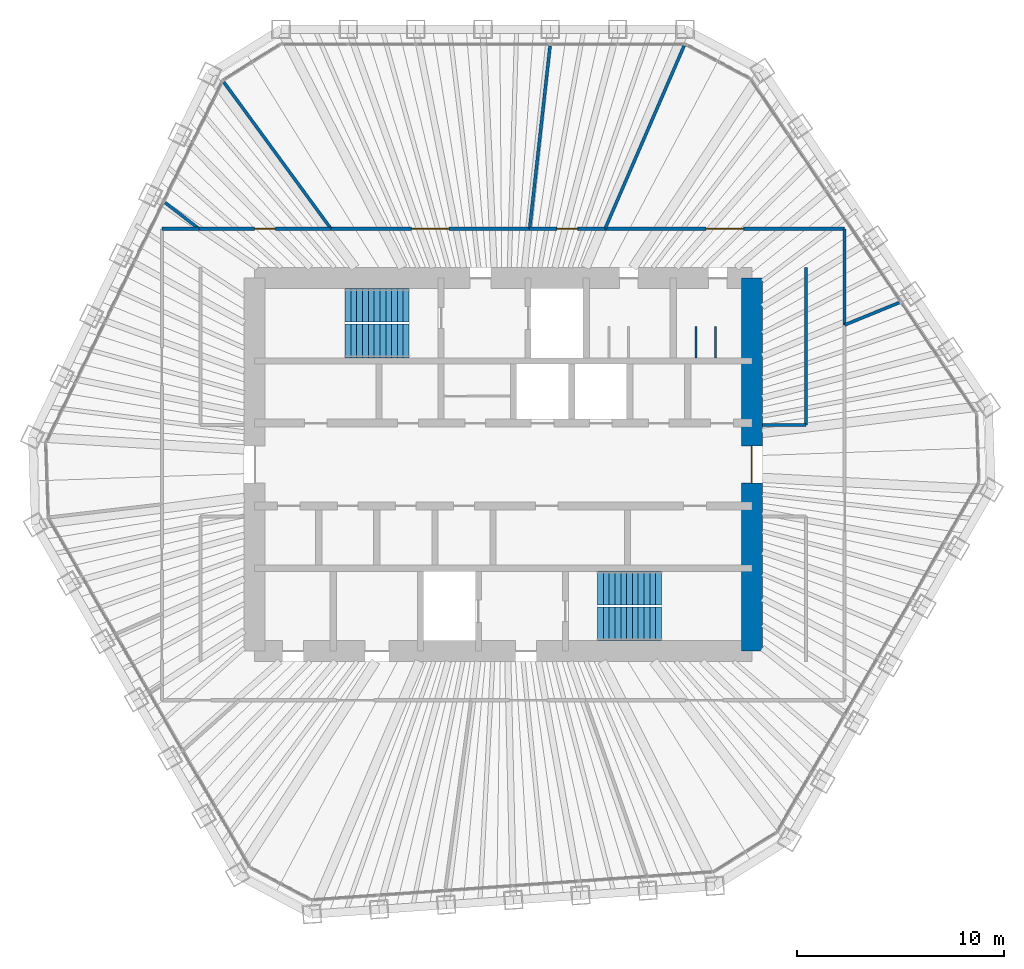
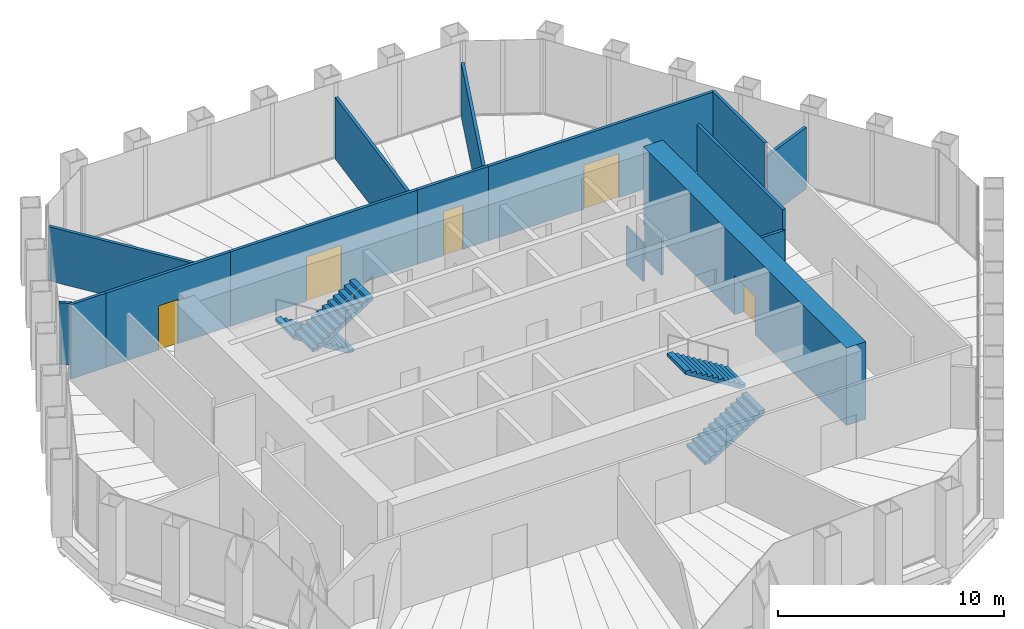
# One storey, part 13 of 14: 16 walls, 5 doors, 4 stair flights, 5 openings, 2 elements without a shape of their own.
"""IFC4 building model written with IfcOpenShell, lengths in metres."""

from ifc_helpers import new_model, si_unit, direction, frame, frame_2d, origin, place, context, subcontext, project, spatial, polyline, rectangle, outline, extrude, material, layer, layer_set, type_object, element, fill, aggregate, save


model = new_model("IFC4")

# Units and contexts
model_context = context("Model", 3, precision=1e-05, world=origin(), true_north=direction((0.0, 1.0)))
body_context = subcontext(model_context, "Body", "Model", "MODEL_VIEW")
ifc_project = project(units=[si_unit("LENGTHUNIT", "METRE"), si_unit("AREAUNIT", "SQUARE_METRE"), si_unit("VOLUMEUNIT", "CUBIC_METRE"), si_unit("PLANEANGLEUNIT", "RADIAN"), si_unit("MASSUNIT", "GRAM", prefix="KILO")], contexts=[model_context])

# Site, building, storey
site_placement = place(None, origin())
site = spatial("IfcSite", under=ifc_project, at=site_placement, CompositionType="ELEMENT")
building_placement = place(site_placement, origin())
building = spatial("IfcBuilding", under=site, at=building_placement, Name="Qingtian Harvest Tower", CompositionType="ELEMENT")
storey_placement = place(building_placement, frame((0.0, 0.0, 287.199951171875)))
storey = spatial("IfcBuildingStorey", under=building, at=storey_placement, Name="L63", CompositionType="ELEMENT", Elevation=287.199951171875)

# Wall, opening, door
ifc_material_1 = material(Name="Concrete fc' 70 MPa", Category="concrete")
ifc_layer_1 = layer(ifc_material_1, 1.0)
ifc_layer_set_1 = layer_set([ifc_layer_1], Name="Core wall RC3 1000")
wall_type_1 = type_object("IfcWallType", Name="Core wall RC3 1000", PredefinedType="SHEAR", material=ifc_layer_set_1)
wall_1_placement = place(storey_placement, frame((12.0, -9.0, 0.0), z_axis=(0.0, 0.0, 1.0), x_axis=(0.0, 1.0, 0.0)))
wall_1 = element("IfcWall", 1, at=wall_1_placement, inside=storey, type_object=wall_type_1, Name="Core wall CE L63", PredefinedType="SHEAR", context=body_context, shape_type="SweptSolid", body=[
    extrude(rectangle(XDim=18.0, YDim=1.0, at=frame_2d((9.0, 0.0))), origin(), (0.0, 0.0, 1.0), 4.199951171875),
])
opening_1_placement = place(wall_1_placement, frame((8.10009765625, 0.0, 0.0)))
opening_1 = element("IfcOpeningElement", 2, at=opening_1_placement, cuts=wall_1, Name="Opening FD2", PredefinedType="OPENING", context=body_context, shape_type="SweptSolid", body=[
    extrude(rectangle(XDim=1.800048828125, YDim=2.10009765625, at=frame_2d((0.89990234375, 1.050048828125))), frame((0.0, 0.510009765625, 0.0), z_axis=(0.0, -1.0, 0.0), x_axis=(1.0, 0.0, 0.0)), (0.0, 0.0, 1.0), 1.02001953125),
])
ifc_material_2 = material(Name="Steel-faced door leaf", Category="steel")
door_type_1 = type_object("IfcDoorType", Name="Fire door FD2 double 1 HR", OperationType="DOUBLE_DOOR_DOUBLE_SWING", PredefinedType="DOOR", material=ifc_material_2)
door_1_placement = place(opening_1_placement, origin())
door_1 = element("IfcDoor", 3, at=door_1_placement, inside=storey, type_object=door_type_1, Name="LOBBY-E door L63", OperationType="DOUBLE_DOOR_DOUBLE_SWING", OverallHeight=2.10009765625, OverallWidth=1.800048828125, PredefinedType="DOOR", context=body_context, shape_type="SweptSolid", body=[
    extrude(rectangle(XDim=1.800048828125, YDim=2.10009765625, at=frame_2d((0.89990234375, 1.050048828125))), frame((0.0, 0.02490234375, 0.0), z_axis=(0.0, -1.0, 0.0), x_axis=(1.0, 0.0, 0.0)), (0.0, 0.0, 1.0), 0.050048828125),
])
fill(opening_1, door_1)

# Walls
ifc_material_3 = material(Name="Gypsum board on steel studs", Category="steel")
ifc_layer_2 = layer(ifc_material_3, 0.14990234375)
ifc_layer_set_2 = layer_set([ifc_layer_2], Name="Partition PT1 150")
wall_type_2 = type_object("IfcWallType", Name="Partition PT1 150", PredefinedType="PARTITIONING", material=ifc_layer_set_2)
wall_2_placement = place(storey_placement, frame((19.10009765625, 7.81005859375, 0.0), z_axis=(0.0, 0.0, 1.0), x_axis=(-0.925593572601, -0.378518874509, 0.0)))
element("IfcWall", 4, at=wall_2_placement, inside=storey, type_object=wall_type_2, Name="Tenant lounge wall L63", PredefinedType="PARTITIONING", context=body_context, shape_type="SweptSolid", body=[
    extrude(rectangle(XDim=2.8359375, YDim=0.14990234375, at=frame_2d((1.41796875, 0.0))), origin(), (0.0, 0.0, 1.0), 3.330078125),
])
wall_3_placement = place(storey_placement, frame((-16.47509765625, 11.375, 0.0), z_axis=(0.0, 0.0, 1.0), x_axis=(1.0, 0.0, 0.0)))
element("IfcWall", 5, at=wall_3_placement, inside=storey, type_object=wall_type_2, Name="Meeting room wall L63", PredefinedType="PARTITIONING", context=body_context, shape_type="SweptSolid", body=[
    extrude(rectangle(XDim=1.78955078125, YDim=0.14990234375, at=frame_2d((0.894775390625, 0.0))), origin(), (0.0, 0.0, 1.0), 4.030029296875),
])
wall_4_placement = place(storey_placement, frame((-16.313720703125, 12.63623046875, 0.0), z_axis=(0.0, 0.0, 1.0), x_axis=(0.790557087003, -0.612388350796, 0.0)))
element("IfcWall", 6, at=wall_4_placement, inside=storey, type_object=wall_type_2, Name="Meeting room wall L63", PredefinedType="PARTITIONING", context=body_context, shape_type="SweptSolid", body=[
    extrude(rectangle(XDim=2.0595703125, YDim=0.14990234375, at=frame_2d((1.02978515625, 0.0))), origin(), (0.0, 0.0, 1.0), 3.330078125),
])

# Wall, opening, door
wall_5_placement = place(storey_placement, frame((-14.685546875, 11.375, 0.0), z_axis=(0.0, 0.0, 1.0), x_axis=(1.0, 0.0, 0.0)))
wall_5 = element("IfcWall", 7, at=wall_5_placement, inside=storey, type_object=wall_type_2, Name="Meeting room wall L63", PredefinedType="PARTITIONING", context=body_context, shape_type="SweptSolid", body=[
    extrude(rectangle(XDim=6.373291015625, YDim=0.14990234375, at=frame_2d((3.1865234375, 0.0))), origin(), (0.0, 0.0, 1.0), 4.030029296875),
])
opening_2_placement = place(wall_5_placement, frame((2.686767578125, 0.0, 0.0)))
opening_2 = element("IfcOpeningElement", 8, at=opening_2_placement, cuts=wall_5, Name="Opening D2", PredefinedType="OPENING", context=body_context, shape_type="SweptSolid", body=[
    extrude(rectangle(XDim=1.0, YDim=2.39990234375, at=frame_2d((0.5, 1.199951171875))), frame((0.0, 0.0849609375, 0.0), z_axis=(0.0, -1.0, 0.0), x_axis=(1.0, 0.0, 0.0)), (0.0, 0.0, 1.0), 0.169921875),
])
ifc_material_4 = material(Name="Laminated timber door leaf", Category="wood")
door_type_2 = type_object("IfcDoorType", Name="Room door D2 single", OperationType="SINGLE_SWING_LEFT", PredefinedType="DOOR", material=ifc_material_4)
door_2_placement = place(opening_2_placement, origin())
door_2 = element("IfcDoor", 9, at=door_2_placement, inside=storey, type_object=door_type_2, Name="Meeting room door L63", OperationType="SINGLE_SWING_LEFT", OverallHeight=2.39990234375, OverallWidth=1.0, PredefinedType="DOOR", context=body_context, shape_type="SweptSolid", body=[
    extrude(rectangle(XDim=1.0, YDim=2.39990234375, at=frame_2d((0.5, 1.199951171875))), frame((0.0, 0.02490234375, 0.0), z_axis=(0.0, -1.0, 0.0), x_axis=(1.0, 0.0, 0.0)), (0.0, 0.0, 1.0), 0.050048828125),
])
fill(opening_2, door_2)

# Wall
wall_6_placement = place(storey_placement, frame((-13.486083984375, 18.455322265625, 0.0), z_axis=(0.0, 0.0, 1.0), x_axis=(0.589997742419, -0.807404894672, 0.0)))
element("IfcWall", 10, at=wall_6_placement, inside=storey, type_object=wall_type_2, Name="Workplace zone wall L63", PredefinedType="PARTITIONING", context=body_context, shape_type="SweptSolid", body=[
    extrude(rectangle(XDim=8.769287109375, YDim=0.14990234375, at=frame_2d((4.384765625, 0.0))), origin(), (0.0, 0.0, 1.0), 2.929931640625),
])

# Wall, opening, door
wall_7_placement = place(storey_placement, frame((-8.312255859375, 11.375, 0.0), z_axis=(0.0, 0.0, 1.0), x_axis=(1.0, 0.0, 0.0)))
wall_7 = element("IfcWall", 11, at=wall_7_placement, inside=storey, type_object=wall_type_2, Name="Workplace zone wall L63", PredefinedType="PARTITIONING", context=body_context, shape_type="SweptSolid", body=[
    extrude(rectangle(XDim=9.584228515625, YDim=0.14990234375, at=frame_2d((4.7919921875, 0.0))), origin(), (0.0, 0.0, 1.0), 4.030029296875),
])
opening_3_placement = place(wall_7_placement, frame((3.89208984375, 0.0, 0.0)))
opening_3 = element("IfcOpeningElement", 12, at=opening_3_placement, cuts=wall_7, Name="Opening D3", PredefinedType="OPENING", context=body_context, shape_type="SweptSolid", body=[
    extrude(rectangle(XDim=1.800048828125, YDim=2.39990234375, at=frame_2d((0.89990234375, 1.199951171875))), frame((0.0, 0.0849609375, 0.0), z_axis=(0.0, -1.0, 0.0), x_axis=(1.0, 0.0, 0.0)), (0.0, 0.0, 1.0), 0.169921875),
])
ifc_material_5 = material(Name="Laminated timber door leaf", Category="wood")
door_type_3 = type_object("IfcDoorType", Name="Room door D3 double", OperationType="DOUBLE_DOOR_DOUBLE_SWING", PredefinedType="DOOR", material=ifc_material_5)
door_3_placement = place(opening_3_placement, origin())
door_3 = element("IfcDoor", 13, at=door_3_placement, inside=storey, type_object=door_type_3, Name="Workplace zone door L63", OperationType="DOUBLE_DOOR_DOUBLE_SWING", OverallHeight=2.39990234375, OverallWidth=1.800048828125, PredefinedType="DOOR", context=body_context, shape_type="SweptSolid", body=[
    extrude(rectangle(XDim=1.800048828125, YDim=2.39990234375, at=frame_2d((0.89990234375, 1.199951171875))), frame((0.0, 0.02490234375, 0.0), z_axis=(0.0, -1.0, 0.0), x_axis=(1.0, 0.0, 0.0)), (0.0, 0.0, 1.0), 0.050048828125),
])
fill(opening_3, door_3)

# Wall
wall_8_placement = place(storey_placement, frame((2.2587890625, 20.20068359375, 0.0), z_axis=(0.0, 0.0, 1.0), x_axis=(-0.11111945026, -0.993807057619, 0.0)))
element("IfcWall", 14, at=wall_8_placement, inside=storey, type_object=wall_type_2, Name="Quiet room wall L63", PredefinedType="PARTITIONING", context=body_context, shape_type="SweptSolid", body=[
    extrude(rectangle(XDim=8.880615234375, YDim=0.14990234375, at=frame_2d((4.4404296875, 0.0))), origin(), (0.0, 0.0, 1.0), 3.330078125),
])

# Wall, opening, door
wall_9_placement = place(storey_placement, frame((1.27197265625, 11.375, 0.0), z_axis=(0.0, 0.0, 1.0), x_axis=(1.0, 0.0, 0.0)))
wall_9 = element("IfcWall", 15, at=wall_9_placement, inside=storey, type_object=wall_type_2, Name="Quiet room wall L63", PredefinedType="PARTITIONING", context=body_context, shape_type="SweptSolid", body=[
    extrude(rectangle(XDim=3.639892578125, YDim=0.14990234375, at=frame_2d((1.81982421875, 0.0))), origin(), (0.0, 0.0, 1.0), 4.030029296875),
])
opening_4_placement = place(wall_9_placement, frame((1.320068359375, 0.0, 0.0)))
opening_4 = element("IfcOpeningElement", 16, at=opening_4_placement, cuts=wall_9, Name="Opening D2", PredefinedType="OPENING", context=body_context, shape_type="SweptSolid", body=[
    extrude(rectangle(XDim=1.0, YDim=2.39990234375, at=frame_2d((0.5, 1.199951171875))), frame((0.0, 0.0849609375, 0.0), z_axis=(0.0, -1.0, 0.0), x_axis=(1.0, 0.0, 0.0)), (0.0, 0.0, 1.0), 0.169921875),
])
door_4_placement = place(opening_4_placement, origin())
door_4 = element("IfcDoor", 17, at=door_4_placement, inside=storey, type_object=door_type_2, Name="Quiet room door L63", OperationType="SINGLE_SWING_LEFT", OverallHeight=2.39990234375, OverallWidth=1.0, PredefinedType="DOOR", context=body_context, shape_type="SweptSolid", body=[
    extrude(rectangle(XDim=1.0, YDim=2.39990234375, at=frame_2d((0.5, 1.199951171875))), frame((0.0, 0.02490234375, 0.0), z_axis=(0.0, -1.0, 0.0), x_axis=(1.0, 0.0, 0.0)), (0.0, 0.0, 1.0), 0.050048828125),
])
fill(opening_4, door_4)

# Wall
wall_10_placement = place(storey_placement, frame((8.726318359375, 20.208251953125, 0.0), z_axis=(0.0, 0.0, 1.0), x_axis=(-0.396444279146, -0.918058785445, 0.0)))
element("IfcWall", 18, at=wall_10_placement, inside=storey, type_object=wall_type_2, Name="Library wall L63", PredefinedType="PARTITIONING", context=body_context, shape_type="SweptSolid", body=[
    extrude(rectangle(XDim=9.62158203125, YDim=0.14990234375, at=frame_2d((4.810791015625, 0.0))), origin(), (0.0, 0.0, 1.0), 2.929931640625),
])

# Wall, opening, door
wall_11_placement = place(storey_placement, frame((4.911865234375, 11.375, 0.0), z_axis=(0.0, 0.0, 1.0), x_axis=(1.0, 0.0, 0.0)))
wall_11 = element("IfcWall", 19, at=wall_11_placement, inside=storey, type_object=wall_type_2, Name="Library wall L63", PredefinedType="PARTITIONING", context=body_context, shape_type="SweptSolid", body=[
    extrude(rectangle(XDim=11.563232421875, YDim=0.14990234375, at=frame_2d((5.78173828125, 0.0))), origin(), (0.0, 0.0, 1.0), 4.030029296875),
])
opening_5_placement = place(wall_11_placement, frame((4.881591796875, 0.0, 0.0)))
opening_5 = element("IfcOpeningElement", 20, at=opening_5_placement, cuts=wall_11, Name="Opening D3", PredefinedType="OPENING", context=body_context, shape_type="SweptSolid", body=[
    extrude(rectangle(XDim=1.800048828125, YDim=2.39990234375, at=frame_2d((0.89990234375, 1.199951171875))), frame((0.0, 0.0849609375, 0.0), z_axis=(0.0, -1.0, 0.0), x_axis=(1.0, 0.0, 0.0)), (0.0, 0.0, 1.0), 0.169921875),
])
door_5_placement = place(opening_5_placement, origin())
door_5 = element("IfcDoor", 21, at=door_5_placement, inside=storey, type_object=door_type_3, Name="Library door L63", OperationType="DOUBLE_DOOR_DOUBLE_SWING", OverallHeight=2.39990234375, OverallWidth=1.800048828125, PredefinedType="DOOR", context=body_context, shape_type="SweptSolid", body=[
    extrude(rectangle(XDim=1.800048828125, YDim=2.39990234375, at=frame_2d((0.89990234375, 1.199951171875))), frame((0.0, 0.02490234375, 0.0), z_axis=(0.0, -1.0, 0.0), x_axis=(1.0, 0.0, 0.0)), (0.0, 0.0, 1.0), 0.050048828125),
])
fill(opening_5, door_5)

# Walls
wall_12_placement = place(storey_placement, frame((16.47509765625, 11.375, 0.0), z_axis=(0.0, 0.0, 1.0), x_axis=(0.0, -1.0, 0.0)))
element("IfcWall", 22, at=wall_12_placement, inside=storey, type_object=wall_type_2, Name="Library wall L63", PredefinedType="PARTITIONING", context=body_context, shape_type="SweptSolid", body=[
    extrude(rectangle(XDim=4.638427734375, YDim=0.14990234375, at=frame_2d((2.3193359375, 0.0))), origin(), (0.0, 0.0, 1.0), 4.030029296875),
])
wall_13_placement = place(storey_placement, frame((14.60009765625, 1.89990234375, 0.0), z_axis=(0.0, 0.0, 1.0), x_axis=(0.0, 1.0, 0.0)))
element("IfcWall", 23, at=wall_13_placement, inside=storey, type_object=wall_type_2, Name="Coffee point wall L63", PredefinedType="PARTITIONING", context=body_context, shape_type="SweptSolid", body=[
    extrude(rectangle(XDim=7.60009765625, YDim=0.14990234375, at=frame_2d((3.800048828125, 0.0))), origin(), (0.0, 0.0, 1.0), 4.030029296875),
])
wall_14_placement = place(storey_placement, frame((12.5, 1.89990234375, 0.0), z_axis=(0.0, 0.0, 1.0), x_axis=(1.0, 0.0, 0.0)))
element("IfcWall", 24, at=wall_14_placement, inside=storey, type_object=wall_type_2, Name="Coffee point wall L63", PredefinedType="PARTITIONING", context=body_context, shape_type="SweptSolid", body=[
    extrude(rectangle(XDim=2.10009765625, YDim=0.14990234375, at=frame_2d((1.050048828125, 0.0))), origin(), (0.0, 0.0, 1.0), 2.929931640625),
])
ifc_material_6 = material(Name="Compact laminate cubicle partition", Category="plastic")
ifc_layer_3 = layer(ifc_material_6, 0.10009765625)
ifc_layer_set_3 = layer_set([ifc_layer_3], Name="WC cubicle partition WP1 100")
wall_type_3 = type_object("IfcWallType", Name="WC cubicle partition WP1 100", PredefinedType="PARTITIONING", material=ifc_layer_set_3)
for number, where, z_axis, x_axis, name in (
    (25, (9.300048828125, 5.14990234375, 0.0), (0.0, 0.0, 1.0), (0.0, 1.0, 0.0), "WC cubicle partition WCF L63"),
    (26, (10.25, 5.14990234375, 0.0), (0.0, 0.0, 1.0), (0.0, 1.0, 0.0), "WC cubicle partition WCF L63"),
):
    element("IfcWall", number, at=place(storey_placement, frame(where, z_axis=z_axis, x_axis=x_axis)), inside=storey, type_object=wall_type_3, Name=name, PredefinedType="PARTITIONING", context=body_context, shape_type="SweptSolid", body=[
        extrude(rectangle(XDim=1.5, YDim=0.10009765625, at=frame_2d((0.75, 0.0))), origin(), (0.0, 0.0, 1.0), 2.10009765625),
    ])

# Stair, stair flights
ifc_material_7 = material(Name="Concrete fc' 35 MPa", Category="concrete")
stair_type = type_object("IfcStairType", Name="Special stair ST6 4200", PredefinedType="HALF_TURN_STAIR", material=ifc_material_7)
stair_1_placement = place(storey_placement, origin())
stair_1 = element("IfcStair", 27, at=stair_1_placement, inside=storey, type_object=stair_type, Name="Special stair S1 L63", PredefinedType="HALF_TURN_STAIR")
ifc_material_8 = material(Name="Concrete fc' 35 MPa", Category="concrete")
stair_flight_type = type_object("IfcStairFlightType", Name="Stair flight SF6 4200", PredefinedType="STRAIGHT", material=ifc_material_8)
stair_flight_1_placement = place(storey_placement, frame((-4.550048828125, 7.6875, 0.0), z_axis=(0.0, 0.0, 1.0), x_axis=(-1.0, 0.0, 0.0)))
stair_flight_1 = element("IfcStairFlight", 28, at=stair_flight_1_placement, type_object=stair_flight_type, Name="S1 flight 1", NumberOfRisers=12, NumberOfTreads=11, PredefinedType="STRAIGHT", RiserHeight=0.175, TreadLength=0.28, context=body_context, shape_type="SweptSolid", body=[
    extrude(outline(polyline([(0.0, 0.0), (0.0, 0.175048828125), (0.280029296875, 0.175048828125), (0.280029296875, 0.35009765625), (0.56005859375, 0.35009765625), (0.56005859375, 0.52490234375), (0.840087890625, 0.52490234375), (0.840087890625, 0.699951171875), (1.1201171875, 0.699951171875), (1.1201171875, 0.875), (1.39990234375, 0.875), (1.39990234375, 1.050048828125), (1.679931640625, 1.050048828125), (1.679931640625, 1.22509765625), (1.9599609375, 1.22509765625), (1.9599609375, 1.39990234375), (2.239990234375, 1.39990234375), (2.239990234375, 1.574951171875), (2.52001953125, 1.574951171875), (2.52001953125, 1.75), (2.800048828125, 1.75), (2.800048828125, 1.925048828125), (3.080078125, 1.925048828125), (3.080078125, 2.10009765625), (3.080078125, 1.748291015625), (0.28271484375, 0.0), (0.0, 0.0)])), frame((0.0, 0.8125, 0.0), z_axis=(0.0, -1.0, 0.0), x_axis=(1.0, 0.0, 0.0)), (0.0, 0.0, 1.0), 1.625),
])
stair_flight_2_placement = place(storey_placement, frame((-7.6298828125, 5.96240234375, 2.10009765625), z_axis=(0.0, 0.0, 1.0), x_axis=(1.0, 0.0, 0.0)))
stair_flight_2 = element("IfcStairFlight", 29, at=stair_flight_2_placement, type_object=stair_flight_type, Name="S1 flight 2", NumberOfRisers=12, NumberOfTreads=11, PredefinedType="STRAIGHT", RiserHeight=0.175, TreadLength=0.28, context=body_context, shape_type="SweptSolid", body=[
    extrude(outline(polyline([(0.0, 0.0), (0.0, 0.175048828125), (0.280029296875, 0.175048828125), (0.280029296875, 0.35009765625), (0.56005859375, 0.35009765625), (0.56005859375, 0.52490234375), (0.840087890625, 0.52490234375), (0.840087890625, 0.699951171875), (1.1201171875, 0.699951171875), (1.1201171875, 0.875), (1.39990234375, 0.875), (1.39990234375, 1.050048828125), (1.679931640625, 1.050048828125), (1.679931640625, 1.22509765625), (1.9599609375, 1.22509765625), (1.9599609375, 1.39990234375), (2.239990234375, 1.39990234375), (2.239990234375, 1.574951171875), (2.52001953125, 1.574951171875), (2.52001953125, 1.75), (2.800048828125, 1.75), (2.800048828125, 1.925048828125), (3.080078125, 1.925048828125), (3.080078125, 2.10009765625), (3.080078125, 1.748291015625), (0.28271484375, 0.0), (0.0, 0.0)])), frame((0.0, 0.8125, 0.0), z_axis=(0.0, -1.0, 0.0), x_axis=(1.0, 0.0, 0.0)), (0.0, 0.0, 1.0), 1.625),
])
aggregate(stair_1, [stair_flight_1, stair_flight_2])

stair_2_placement = place(storey_placement, origin())
stair_2 = element("IfcStair", 30, at=stair_2_placement, inside=storey, type_object=stair_type, Name="Special stair S2 L63", PredefinedType="HALF_TURN_STAIR")
stair_flight_3_placement = place(storey_placement, frame((4.550048828125, -7.6875, 0.0), z_axis=(0.0, 0.0, 1.0), x_axis=(1.0, 0.0, 0.0)))
stair_flight_3 = element("IfcStairFlight", 31, at=stair_flight_3_placement, type_object=stair_flight_type, Name="S2 flight 1", NumberOfRisers=12, NumberOfTreads=11, PredefinedType="STRAIGHT", RiserHeight=0.175, TreadLength=0.28, context=body_context, shape_type="SweptSolid", body=[
    extrude(outline(polyline([(0.0, 0.0), (0.0, 0.175048828125), (0.280029296875, 0.175048828125), (0.280029296875, 0.35009765625), (0.56005859375, 0.35009765625), (0.56005859375, 0.52490234375), (0.840087890625, 0.52490234375), (0.840087890625, 0.699951171875), (1.1201171875, 0.699951171875), (1.1201171875, 0.875), (1.39990234375, 0.875), (1.39990234375, 1.050048828125), (1.679931640625, 1.050048828125), (1.679931640625, 1.22509765625), (1.9599609375, 1.22509765625), (1.9599609375, 1.39990234375), (2.239990234375, 1.39990234375), (2.239990234375, 1.574951171875), (2.52001953125, 1.574951171875), (2.52001953125, 1.75), (2.800048828125, 1.75), (2.800048828125, 1.925048828125), (3.080078125, 1.925048828125), (3.080078125, 2.10009765625), (3.080078125, 1.748291015625), (0.28271484375, 0.0), (0.0, 0.0)])), frame((0.0, 0.8125, 0.0), z_axis=(0.0, -1.0, 0.0), x_axis=(1.0, 0.0, 0.0)), (0.0, 0.0, 1.0), 1.625),
])
stair_flight_4_placement = place(storey_placement, frame((7.6298828125, -5.96240234375, 2.10009765625), z_axis=(0.0, 0.0, 1.0), x_axis=(-1.0, 0.0, 0.0)))
stair_flight_4 = element("IfcStairFlight", 32, at=stair_flight_4_placement, type_object=stair_flight_type, Name="S2 flight 2", NumberOfRisers=12, NumberOfTreads=11, PredefinedType="STRAIGHT", RiserHeight=0.175, TreadLength=0.28, context=body_context, shape_type="SweptSolid", body=[
    extrude(outline(polyline([(0.0, 0.0), (0.0, 0.175048828125), (0.280029296875, 0.175048828125), (0.280029296875, 0.35009765625), (0.56005859375, 0.35009765625), (0.56005859375, 0.52490234375), (0.840087890625, 0.52490234375), (0.840087890625, 0.699951171875), (1.1201171875, 0.699951171875), (1.1201171875, 0.875), (1.39990234375, 0.875), (1.39990234375, 1.050048828125), (1.679931640625, 1.050048828125), (1.679931640625, 1.22509765625), (1.9599609375, 1.22509765625), (1.9599609375, 1.39990234375), (2.239990234375, 1.39990234375), (2.239990234375, 1.574951171875), (2.52001953125, 1.574951171875), (2.52001953125, 1.75), (2.800048828125, 1.75), (2.800048828125, 1.925048828125), (3.080078125, 1.925048828125), (3.080078125, 2.10009765625), (3.080078125, 1.748291015625), (0.28271484375, 0.0), (0.0, 0.0)])), frame((0.0, 0.8125, 0.0), z_axis=(0.0, -1.0, 0.0), x_axis=(1.0, 0.0, 0.0)), (0.0, 0.0, 1.0), 1.625),
])
aggregate(stair_2, [stair_flight_3, stair_flight_4])

save(model, "model.ifc")
